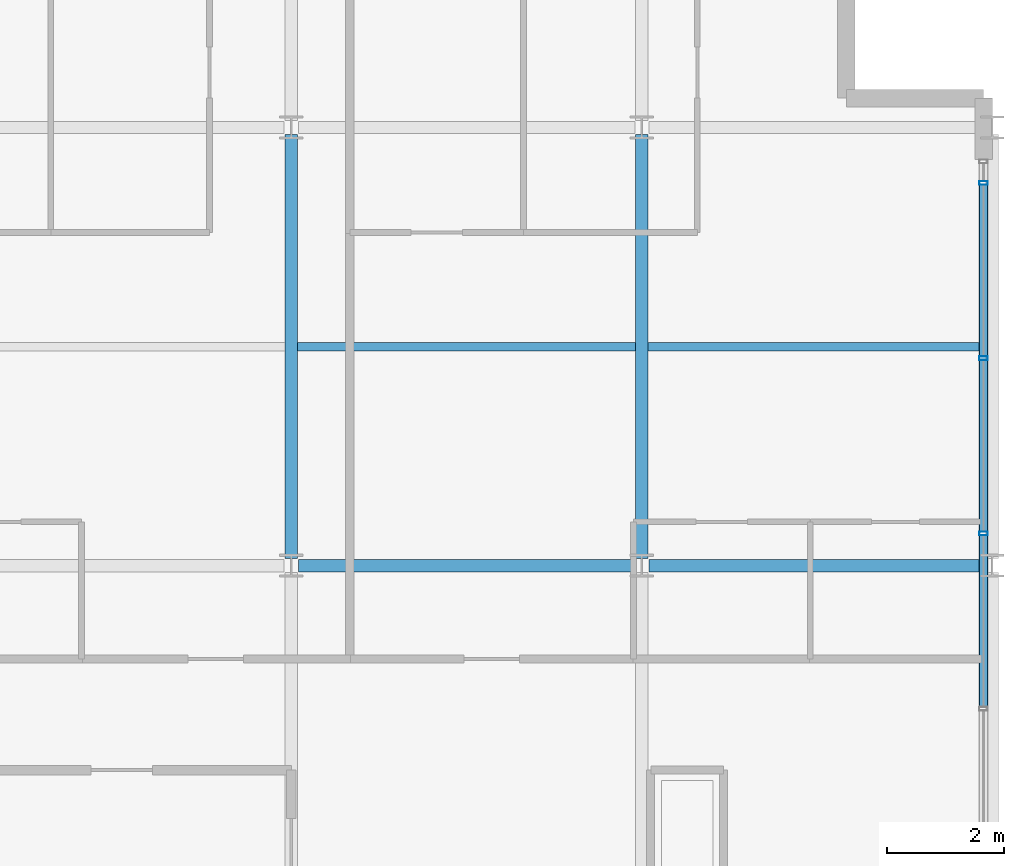
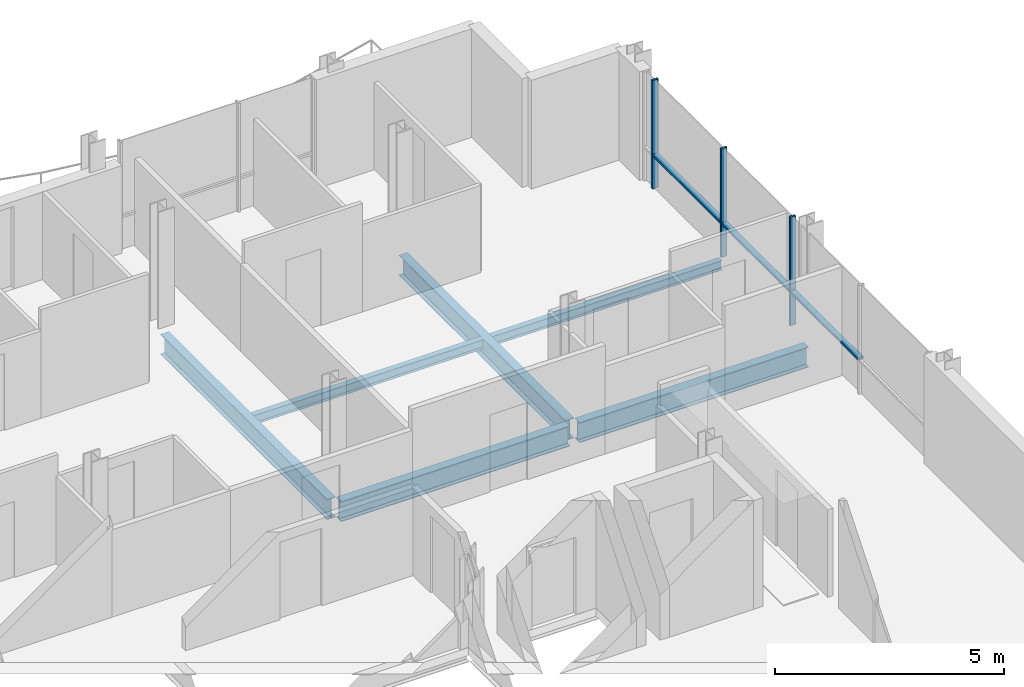
# One storey, part 12 of 27: 6 beams, 6 members, 1 element without a shape of its own.
"""IFC4 building model written with IfcOpenShell, lengths in metres."""

from ifc_helpers import new_model, si_unit, direction, frame, origin, origin_2d, place, context, subcontext, project, spatial, hollow_rectangle, i_section, extrude, material, layer, layer_set, material_profile, profile_set, type_object, element, aggregate, save


model = new_model("IFC4")

# Units and contexts
model_context = context("Model", 3, precision=1e-05, world=origin(), true_north=direction((0.0, 1.0)))
body_context = subcontext(model_context, "Body", "Model", "MODEL_VIEW")
ifc_project = project(units=[si_unit("LENGTHUNIT", "METRE"), si_unit("AREAUNIT", "SQUARE_METRE"), si_unit("VOLUMEUNIT", "CUBIC_METRE"), si_unit("PLANEANGLEUNIT", "RADIAN"), si_unit("MASSUNIT", "GRAM", prefix="KILO")], contexts=[model_context])

# Site, building, storey
site_placement = place(None, origin())
site = spatial("IfcSite", under=ifc_project, at=site_placement, CompositionType="ELEMENT")
building_placement = place(site_placement, origin())
building = spatial("IfcBuilding", under=site, at=building_placement, Name="Brevholm Reach", CompositionType="ELEMENT")
storey_placement = place(building_placement, frame((0.0, 0.0, 195.60009765625)))
storey = spatial("IfcBuildingStorey", under=building, at=storey_placement, Name="L59", CompositionType="ELEMENT", Elevation=195.60009765625)

# Beams
ifc_material_1 = material(Name="Structural Steel S355J2", Category="steel")
ifc_material_profile_1 = material_profile(ifc_material_1, i_section(OverallWidth=0.14599609375, OverallDepth=0.25146484375, WebThickness=0.006103515625, FlangeThickness=0.008544921875, FilletRadius=0.007568359375, at=origin_2d()), Name="UKB 254x146x31")
ifc_profile_set_1 = profile_set([ifc_material_profile_1], Name="Structural Steel S355J2")
beam_type_1 = type_object("IfcBeamType", Name="BM-B254", PredefinedType="BEAM", material=ifc_profile_set_1)
beam_1_placement = place(storey_placement, frame((48.10546875, 19.75, -0.335693359375), z_axis=(1.0, 0.0, 0.0), x_axis=(0.0, 1.0, 0.0)))
element("IfcBeam", 1, at=beam_1_placement, inside=storey, type_object=beam_type_1, Name="L59 Composite Secondary Floor Beam", PredefinedType="BEAM", context=body_context, shape_type="SweptSolid", body=[
    extrude(i_section(OverallWidth=0.14599609375, OverallDepth=0.25146484375, WebThickness=0.006103515625, FlangeThickness=0.008544921875, FilletRadius=0.007568359375, at=origin_2d()), origin(), (0.0, 0.0, 1.0), 5.7890625),
])
beam_2_placement = place(storey_placement, frame((54.10546875, 19.75, -0.335693359375), z_axis=(1.0, 0.0, 0.0), x_axis=(0.0, 1.0, 0.0)))
element("IfcBeam", 2, at=beam_2_placement, inside=storey, type_object=beam_type_1, Name="L59 Composite Secondary Floor Beam", PredefinedType="BEAM", context=body_context, shape_type="SweptSolid", body=[
    extrude(i_section(OverallWidth=0.14599609375, OverallDepth=0.25146484375, WebThickness=0.006103515625, FlangeThickness=0.008544921875, FilletRadius=0.007568359375, at=origin_2d()), origin(), (0.0, 0.0, 1.0), 5.789794921875),
])
ifc_material_2 = material(Name="Structural Steel S355J2", Category="steel")
ifc_material_profile_2 = material_profile(ifc_material_2, i_section(OverallWidth=0.210693359375, OverallDepth=0.53955078125, WebThickness=0.01171875, FlangeThickness=0.018798828125, FilletRadius=0.0126953125, at=origin_2d()), Name="UKB 533x210x109")
ifc_profile_set_2 = profile_set([ifc_material_profile_2], Name="Structural Steel S355J2")
beam_type_2 = type_object("IfcBeamType", Name="BM-SP539", PredefinedType="SPANDREL", material=ifc_profile_set_2)
for number, where, z_axis, x_axis, name in (
    (3, (48.1201171875, 16.0, -0.479736328125), (1.0, 0.0, 0.0), (0.0, 1.0, 0.0), "L59 SP-01B Framing Beam"),
    (4, (54.1201171875, 16.0, -0.479736328125), (1.0, 0.0, 0.0), (0.0, 1.0, 0.0), "L59 SP-01B Framing Beam"),
):
    element("IfcBeam", number, at=place(storey_placement, frame(where, z_axis=z_axis, x_axis=x_axis)), inside=storey, type_object=beam_type_2, Name=name, PredefinedType="SPANDREL", context=body_context, shape_type="SweptSolid", body=[
        extrude(i_section(OverallWidth=0.210693359375, OverallDepth=0.53955078125, WebThickness=0.01171875, FlangeThickness=0.018798828125, FilletRadius=0.0126953125, at=origin_2d()), origin(), (0.0, 0.0, 1.0), 5.759765625),
    ])
for number, where, z_axis, x_axis, name in (
    (5, (48.0, 16.1201171875, -0.479736328125), (0.0, 1.0, 0.0), (-1.0, 0.0, 0.0), "L59 SP-01B Framing Beam"),
    (6, (54.0, 16.1201171875, -0.479736328125), (0.0, 1.0, 0.0), (-1.0, 0.0, 0.0), "L59 SP-01B Framing Beam"),
):
    element("IfcBeam", number, at=place(storey_placement, frame(where, z_axis=z_axis, x_axis=x_axis)), inside=storey, type_object=beam_type_2, Name=name, PredefinedType="SPANDREL", context=body_context, shape_type="SweptSolid", body=[
        extrude(i_section(OverallWidth=0.210693359375, OverallDepth=0.53955078125, WebThickness=0.01171875, FlangeThickness=0.018798828125, FilletRadius=0.0126953125, at=origin_2d()), origin(), (0.0, 0.0, 1.0), 7.259765625),
    ])

# Curtain wall, members
ifc_material_3 = material(Name="Dark Anodised Aluminium 6063-T6 and Solar-Control Glass", Category="aluminium")
ifc_layer = layer(ifc_material_3, 0.14990234375)
ifc_layer_set = layer_set([ifc_layer], Name="Dark Anodised Aluminium 6063-T6 and Solar-Control Glass")
curtain_wall_type = type_object("IfcCurtainWallType", Name="CW-01", PredefinedType="NOTDEFINED", material=ifc_layer_set)
curtain_wall_placement = place(storey_placement, origin())
curtain_wall = element("IfcCurtainWall", 7, at=curtain_wall_placement, inside=storey, type_object=curtain_wall_type, Name="L59 Curtain Wall CW-01", PredefinedType="NOTDEFINED")
ifc_material_4 = material(Name="Dark Anodised Aluminium 6063-T6", Category="aluminium")
ifc_material_profile_3 = material_profile(ifc_material_4, hollow_rectangle(XDim=0.06494140625, YDim=0.14990234375, WallThickness=0.0048828125, InnerFilletRadius=0.0048828125, OuterFilletRadius=0.010009765625, at=origin_2d()), Name="RHS 150x65x5")
ifc_profile_set_3 = profile_set([ifc_material_profile_3], Name="Dark Anodised Aluminium 6063-T6")
member_type_1 = type_object("IfcMemberType", Name="CWM-150", PredefinedType="MULLION", material=ifc_profile_set_3)
member_1_placement = place(storey_placement, frame((59.85009765625, 16.550048828125, 0.0), z_axis=(0.0, 0.0, 1.0), x_axis=(0.0, 1.0, 0.0)))
member_1 = element("IfcMember", 8, at=member_1_placement, type_object=member_type_1, Name="CM-150 Mullion 3", PredefinedType="MULLION", context=body_context, shape_type="SweptSolid", body=[
    extrude(hollow_rectangle(XDim=0.06494140625, YDim=0.14990234375, WallThickness=0.0048828125, InnerFilletRadius=0.0048828125, OuterFilletRadius=0.010009765625, at=origin_2d()), origin(), (0.0, 0.0, 1.0), 2.889892578125),
])
member_2_placement = place(storey_placement, frame((59.85009765625, 19.550048828125, 0.0), z_axis=(0.0, 0.0, 1.0), x_axis=(0.0, 1.0, 0.0)))
member_2 = element("IfcMember", 9, at=member_2_placement, type_object=member_type_1, Name="CM-150 Mullion 4", PredefinedType="MULLION", context=body_context, shape_type="SweptSolid", body=[
    extrude(hollow_rectangle(XDim=0.06494140625, YDim=0.14990234375, WallThickness=0.0048828125, InnerFilletRadius=0.0048828125, OuterFilletRadius=0.010009765625, at=origin_2d()), origin(), (0.0, 0.0, 1.0), 2.889892578125),
])
member_3_placement = place(storey_placement, frame((59.85009765625, 22.550048828125, 0.0), z_axis=(0.0, 0.0, 1.0), x_axis=(0.0, 1.0, 0.0)))
member_3 = element("IfcMember", 10, at=member_3_placement, type_object=member_type_1, Name="CM-150 Mullion 5", PredefinedType="MULLION", context=body_context, shape_type="SweptSolid", body=[
    extrude(hollow_rectangle(XDim=0.06494140625, YDim=0.14990234375, WallThickness=0.0048828125, InnerFilletRadius=0.0048828125, OuterFilletRadius=0.010009765625, at=origin_2d()), origin(), (0.0, 0.0, 1.0), 2.889892578125),
])
ifc_material_5 = material(Name="Dark Anodised Aluminium 6063-T6", Category="aluminium")
ifc_material_profile_4 = material_profile(ifc_material_5, hollow_rectangle(XDim=0.06494140625, YDim=0.14990234375, WallThickness=0.0048828125, InnerFilletRadius=0.0048828125, OuterFilletRadius=0.010009765625, at=origin_2d()), Name="RHS 150x65x5")
ifc_profile_set_4 = profile_set([ifc_material_profile_4], Name="Dark Anodised Aluminium 6063-T6")
member_type_2 = type_object("IfcMemberType", Name="CWT-150", PredefinedType="NOTDEFINED", material=ifc_profile_set_4)
member_4_placement = place(storey_placement, frame((59.85009765625, 13.58251953125, 0.89990234375), z_axis=(0.0, 1.0, 0.0), x_axis=(0.0, 0.0, 1.0)))
member_4 = element("IfcMember", 11, at=member_4_placement, type_object=member_type_2, Name="CT-150 Transom 2.1", ObjectType="TRANSOM", PredefinedType="USERDEFINED", context=body_context, shape_type="SweptSolid", body=[
    extrude(hollow_rectangle(XDim=0.06494140625, YDim=0.14990234375, WallThickness=0.0048828125, InnerFilletRadius=0.0048828125, OuterFilletRadius=0.010009765625, at=origin_2d()), origin(), (0.0, 0.0, 1.0), 2.93505859375),
])
member_5_placement = place(storey_placement, frame((59.85009765625, 16.58251953125, 0.89990234375), z_axis=(0.0, 1.0, 0.0), x_axis=(0.0, 0.0, 1.0)))
member_5 = element("IfcMember", 12, at=member_5_placement, type_object=member_type_2, Name="CT-150 Transom 3.1", ObjectType="TRANSOM", PredefinedType="USERDEFINED", context=body_context, shape_type="SweptSolid", body=[
    extrude(hollow_rectangle(XDim=0.06494140625, YDim=0.14990234375, WallThickness=0.0048828125, InnerFilletRadius=0.0048828125, OuterFilletRadius=0.010009765625, at=origin_2d()), origin(), (0.0, 0.0, 1.0), 2.93505859375),
])
member_6_placement = place(storey_placement, frame((59.85009765625, 19.58251953125, 0.89990234375), z_axis=(0.0, 1.0, 0.0), x_axis=(0.0, 0.0, 1.0)))
member_6 = element("IfcMember", 13, at=member_6_placement, type_object=member_type_2, Name="CT-150 Transom 4.1", ObjectType="TRANSOM", PredefinedType="USERDEFINED", context=body_context, shape_type="SweptSolid", body=[
    extrude(hollow_rectangle(XDim=0.06494140625, YDim=0.14990234375, WallThickness=0.0048828125, InnerFilletRadius=0.0048828125, OuterFilletRadius=0.010009765625, at=origin_2d()), origin(), (0.0, 0.0, 1.0), 2.93505859375),
])
aggregate(curtain_wall, [member_1, member_2, member_3, member_4, member_5, member_6])

save(model, "model.ifc")
